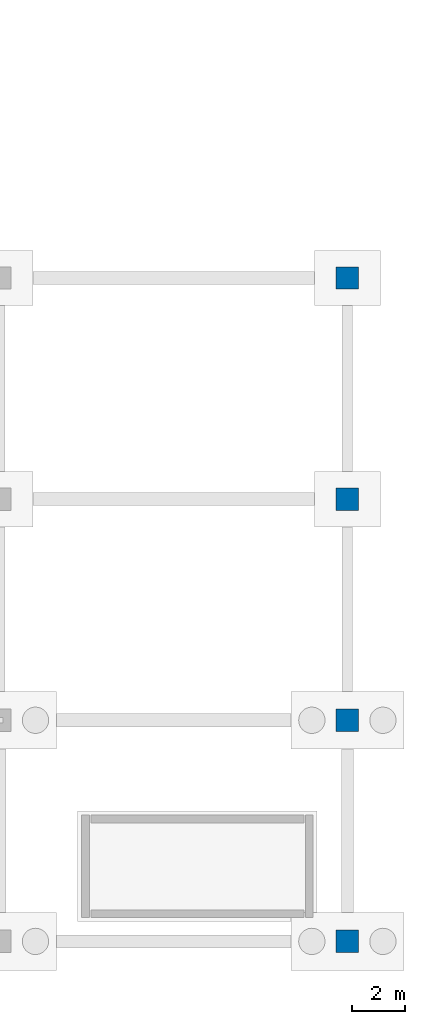
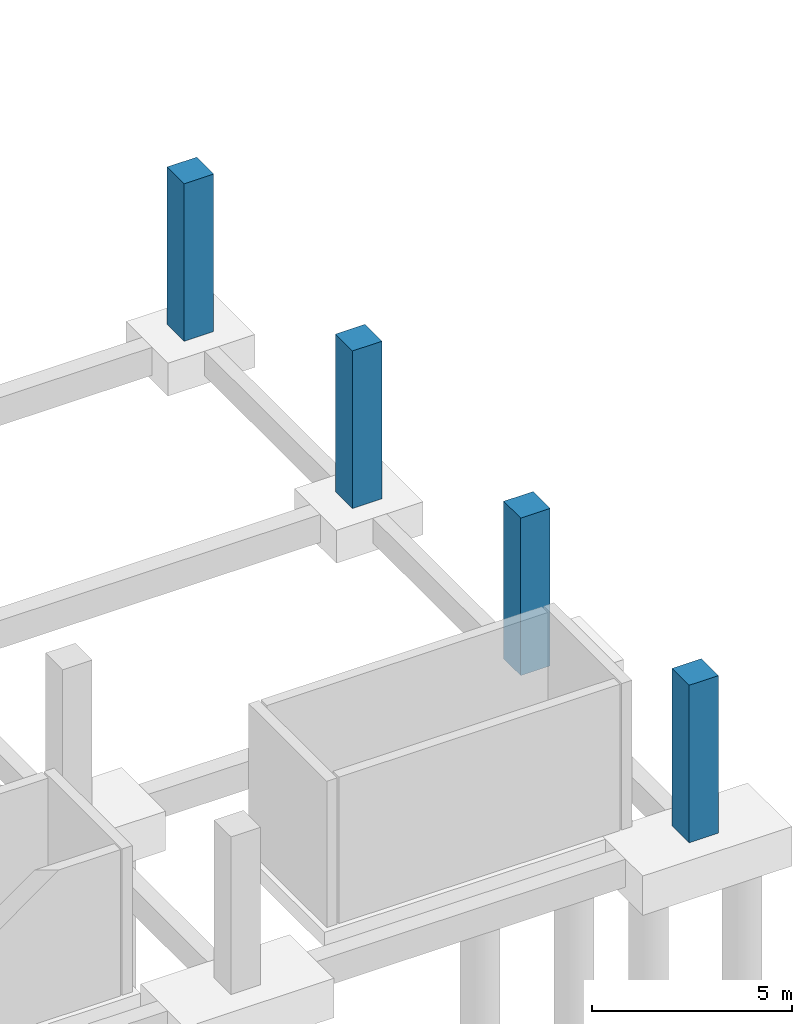
# One storey, part 27 of 44: 4 columns.
"""IFC4 building model written with IfcOpenShell, lengths in metres."""

from ifc_helpers import new_model, si_unit, direction, frame, origin, origin_2d, place, context, subcontext, project, spatial, rectangle, extrude, material, material_profile, profile_set, type_object, element, save


model = new_model("IFC4")

# Units and contexts
model_context = context("Model", 3, precision=1e-05, world=origin(), true_north=direction((0.0, 1.0)))
body_context = subcontext(model_context, "Body", "Model", "MODEL_VIEW")
ifc_project = project(units=[si_unit("LENGTHUNIT", "METRE"), si_unit("AREAUNIT", "SQUARE_METRE"), si_unit("VOLUMEUNIT", "CUBIC_METRE"), si_unit("PLANEANGLEUNIT", "RADIAN"), si_unit("MASSUNIT", "GRAM", prefix="KILO")], contexts=[model_context])

# Site, building, storey
site_placement = place(None, origin())
site = spatial("IfcSite", under=ifc_project, at=site_placement, CompositionType="ELEMENT")
building_placement = place(site_placement, origin())
building = spatial("IfcBuilding", under=site, at=building_placement, Name="Kisaragi Civic Commons", CompositionType="ELEMENT")
storey_placement = place(building_placement, frame((0.0, 0.0, -4.800048828125)))
storey = spatial("IfcBuildingStorey", under=building, at=storey_placement, Name="B1", CompositionType="ELEMENT", Elevation=-4.800048828125)

# Columns
ifc_material = material(Name="Concrete Fc36", Category="concrete")
ifc_material_profile = material_profile(ifc_material, rectangle(XDim=0.85009765625, YDim=0.85009765625, at=origin_2d()), Name="RC-850x850", Category="concrete")
ifc_profile_set = profile_set([ifc_material_profile], Name="Concrete Fc36")
column_type = type_object("IfcColumnType", Name="C-05", PredefinedType="COLUMN", material=ifc_profile_set)
for number, where, z_axis, x_axis, name in (
    (1, (172.800048828125, 0.0, 0.0), (0.0, 0.0, 1.0), (1.0, 0.0, 0.0), "B1 column C-05 (172.8,0.0)"),
    (2, (172.800048828125, 8.39990234375, 0.0), (0.0, 0.0, 1.0), (1.0, 0.0, 0.0), "B1 column C-05 (172.8,8.4)"),
    (3, (172.800048828125, 16.800048828125, 0.0), (0.0, 0.0, 1.0), (1.0, 0.0, 0.0), "B1 column C-05 (172.8,16.8)"),
    (4, (172.800048828125, 25.199951171875, 0.0), (0.0, 0.0, 1.0), (1.0, 0.0, 0.0), "B1 column C-05 (172.8,25.2)"),
):
    element("IfcColumn", number, at=place(storey_placement, frame(where, z_axis=z_axis, x_axis=x_axis)), inside=storey, type_object=column_type, Name=name, PredefinedType="COLUMN", context=body_context, shape_type="SweptSolid", body=[
        extrude(rectangle(XDim=0.85009765625, YDim=0.85009765625, at=origin_2d()), origin(), (0.0, 0.0, 1.0), 4.800048828125),
    ])

save(model, "model.ifc")
